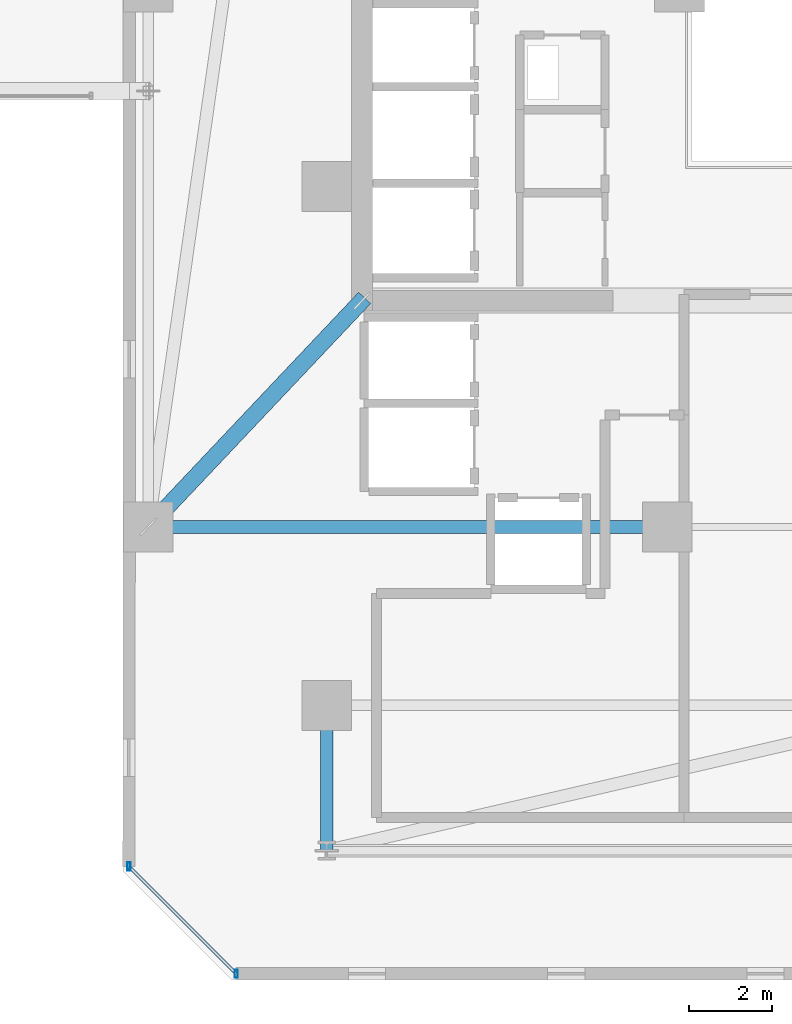
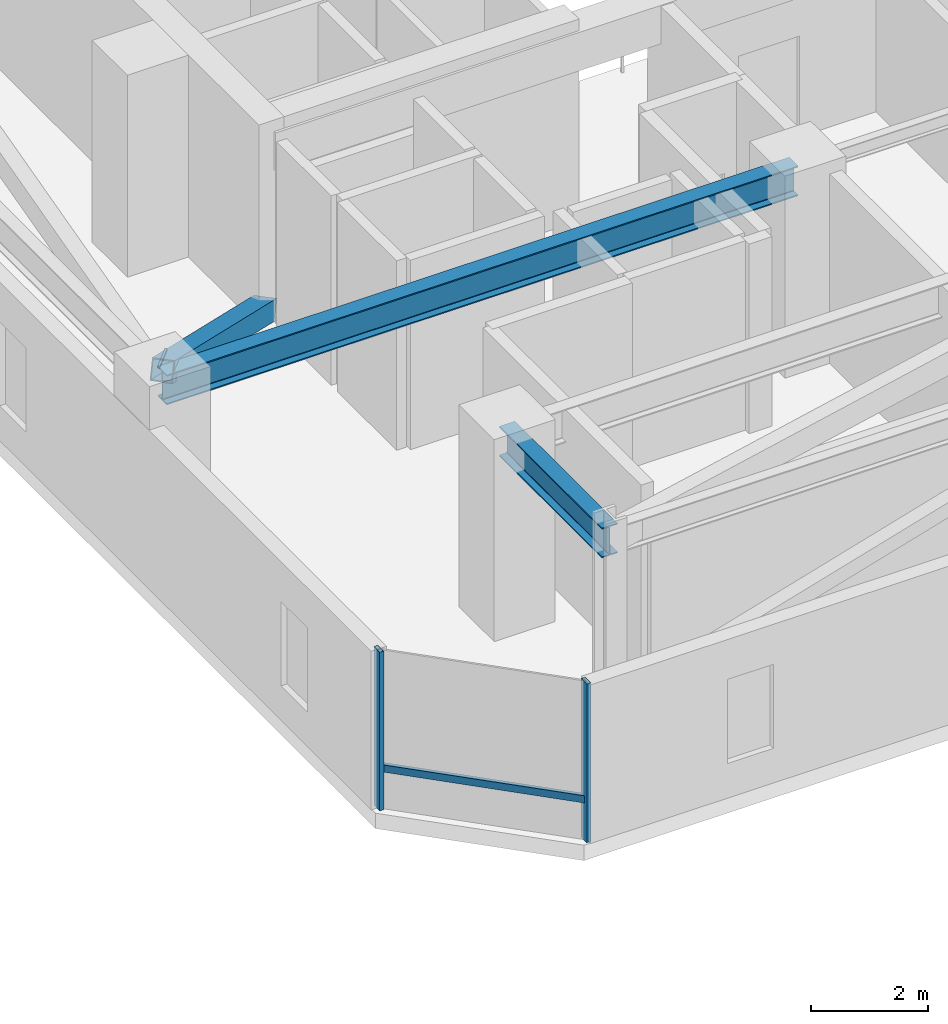
# One storey, part 17 of 45: 4 members, 2 beams, 1 element without a shape of its own.
"""IFC4 building model written with IfcOpenShell, lengths in metres."""

from ifc_helpers import new_model, si_unit, direction, frame, origin, origin_2d, place, context, subcontext, project, spatial, hollow_rectangle, i_section, extrude, material, material_profile, profile_set, type_object, element, aggregate, save


model = new_model("IFC4")

# Units and contexts
model_context = context("Model", 3, precision=1e-05, world=origin(), true_north=direction((0.0, 1.0)))
body_context = subcontext(model_context, "Body", "Model", "MODEL_VIEW")
ifc_project = project(units=[si_unit("LENGTHUNIT", "METRE"), si_unit("AREAUNIT", "SQUARE_METRE"), si_unit("VOLUMEUNIT", "CUBIC_METRE"), si_unit("PLANEANGLEUNIT", "RADIAN"), si_unit("MASSUNIT", "GRAM", prefix="KILO")], contexts=[model_context])

# Site, building, storey
site_placement = place(None, origin())
site = spatial("IfcSite", under=ifc_project, at=site_placement, CompositionType="ELEMENT")
building_placement = place(site_placement, origin())
building = spatial("IfcBuilding", under=site, at=building_placement, Name="Thornwick Lancets Civic Towers", CompositionType="ELEMENT")
storey_placement = place(building_placement, frame((0.0, 0.0, 141.300048828125)))
storey = spatial("IfcBuildingStorey", under=building, at=storey_placement, Name="L37", CompositionType="ELEMENT", Elevation=141.300048828125)

# Beams
ifc_material_1 = material(Name="Steel S355JR", Category="steel")
ifc_material_profile_1 = material_profile(ifc_material_1, i_section(OverallWidth=0.30712890625, OverallDepth=0.6201171875, WebThickness=0.01416015625, FlangeThickness=0.023681640625, FilletRadius=0.0166015625, at=origin_2d()), Name="UKB 610x305x179")
ifc_profile_set_1 = profile_set([ifc_material_profile_1], Name="Steel S355JR")
beam_type = type_object("IfcBeamType", Name="BM_GIRD_610_179", PredefinedType="BEAM", material=ifc_profile_set_1)
beam_1_placement = place(storey_placement, frame((83.6201171875, 14.0, 3.64990234375), z_axis=(-1.0, 0.0, 0.0), x_axis=(0.0, -1.0, 0.0)))
element("IfcBeam", 1, at=beam_1_placement, inside=storey, type_object=beam_type, Name="BM-RADIN-L37-B07", PredefinedType="BEAM", context=body_context, shape_type="SweptSolid", body=[
    extrude(i_section(OverallWidth=0.30712890625, OverallDepth=0.6201171875, WebThickness=0.01416015625, FlangeThickness=0.023681640625, FilletRadius=0.0166015625, at=origin_2d()), origin(), (0.0, 0.0, 1.0), 12.420166015625),
])
beam_2_placement = place(storey_placement, frame((75.5, 9.699951171875, 3.64990234375), z_axis=(0.0, -1.0, 0.0), x_axis=(1.0, 0.0, 0.0)))
element("IfcBeam", 2, at=beam_2_placement, inside=storey, type_object=beam_type, Name="BM-RAD-L37-B12", PredefinedType="BEAM", context=body_context, shape_type="SweptSolid", body=[
    extrude(i_section(OverallWidth=0.30712890625, OverallDepth=0.6201171875, WebThickness=0.01416015625, FlangeThickness=0.023681640625, FilletRadius=0.0166015625, at=origin_2d()), origin(), (0.0, 0.0, 1.0), 3.5),
])

# Curtain wall, members
ifc_material_2 = material(Name="Mid-zone chamfered-corner unitised glass curtain wall", Category="glass")
curtain_wall_type = type_object("IfcCurtainWallType", Name="CW_SYS_04", PredefinedType="NOTDEFINED", material=ifc_material_2)
curtain_wall_placement = place(storey_placement, origin())
curtain_wall = element("IfcCurtainWall", 3, at=curtain_wall_placement, inside=storey, type_object=curtain_wall_type, Name="L37 Curtain Wall CW-L37-B-E7", PredefinedType="NOTDEFINED")
ifc_material_3 = material(Name="Thermally broken bronze aluminium S355", Category="steel")
ifc_material_profile_2 = material_profile(ifc_material_3, hollow_rectangle(XDim=0.080078125, YDim=0.199951171875, WallThickness=0.006103515625, at=origin_2d()), Name="RHS 200x80x6")
ifc_profile_set_2 = profile_set([ifc_material_profile_2], Name="Thermally broken bronze aluminium S355")
member_type_1 = type_object("IfcMemberType", Name="CW_MUL_200", PredefinedType="MULLION", material=ifc_profile_set_2)
member_1_placement = place(storey_placement, frame((70.7353515625, 5.818603515625, 0.0), z_axis=(0.0, 0.0, 1.0), x_axis=(1.0, 0.0, 0.0)))
member_1 = element("IfcMember", 4, at=member_1_placement, type_object=member_type_1, Name="CW-L37-B-E7 Mullion 0", PredefinedType="MULLION", context=body_context, shape_type="SweptSolid", body=[
    extrude(hollow_rectangle(XDim=0.080078125, YDim=0.199951171875, WallThickness=0.006103515625, at=origin_2d()), origin(), (0.0, 0.0, 1.0), 3.300048828125),
])
member_2_placement = place(storey_placement, frame((73.318603515625, 3.2353515625, 0.0), z_axis=(0.0, 0.0, 1.0), x_axis=(1.0, 0.0, 0.0)))
member_2 = element("IfcMember", 5, at=member_2_placement, type_object=member_type_1, Name="CW-L37-B-E7 Mullion 1", PredefinedType="MULLION", context=body_context, shape_type="SweptSolid", body=[
    extrude(hollow_rectangle(XDim=0.080078125, YDim=0.199951171875, WallThickness=0.006103515625, at=origin_2d()), origin(), (0.0, 0.0, 1.0), 3.300048828125),
])
ifc_material_profile_3 = material_profile(ifc_material_3, hollow_rectangle(XDim=0.074951171875, YDim=0.14990234375, WallThickness=0.0048828125, at=origin_2d()), Name="RHS 150x75x5")
ifc_profile_set_3 = profile_set([ifc_material_profile_3], Name="Thermally broken bronze aluminium S355")
member_type_2 = type_object("IfcMemberType", Name="CW_TRN_150", PredefinedType="USERDEFINED", material=ifc_profile_set_3)
member_3_placement = place(storey_placement, frame((70.74951171875, 5.804443359375, 0.849853515625), z_axis=(0.707106781187, -0.707106781187, 0.0), x_axis=(0.707106781187, 0.707106781187, 0.0)))
member_3 = element("IfcMember", 6, at=member_3_placement, type_object=member_type_2, Name="CW-L37-B-E7 Transom 0", ObjectType="TRANSOM", PredefinedType="USERDEFINED", context=body_context, shape_type="SweptSolid", body=[
    extrude(hollow_rectangle(XDim=0.074951171875, YDim=0.14990234375, WallThickness=0.0048828125, at=origin_2d()), origin(), (0.0, 0.0, 1.0), 3.61328125),
])
aggregate(curtain_wall, [member_1, member_2, member_3])

# Member
ifc_material_4 = material(Name="Steel S460M", Category="steel")
ifc_material_profile_4 = material_profile(ifc_material_4, hollow_rectangle(XDim=0.39990234375, YDim=0.39990234375, WallThickness=0.02001953125, at=origin_2d()), Name="SHS 400x400x20")
ifc_profile_set_4 = profile_set([ifc_material_profile_4], Name="Steel S460M")
member_type_3 = type_object("IfcMemberType", Name="MEM_OUTRIG_SHS400", PredefinedType="BRACE", material=ifc_profile_set_4)
member_4_placement = place(storey_placement, frame((76.35009765625, 19.449951171875, 0.14990234375), z_axis=(-0.612321218604, -0.6479661798, 0.452992886349), x_axis=(0.726815378038, -0.686832880872, 0.0)))
element("IfcMember", 7, at=member_4_placement, inside=storey, type_object=member_type_3, Name="L37 Outrigger Brace B-3", PredefinedType="BRACE", context=body_context, shape_type="SweptSolid", body=[
    extrude(hollow_rectangle(XDim=0.39990234375, YDim=0.39990234375, WallThickness=0.02001953125, at=origin_2d()), origin(), (0.0, 0.0, 1.0), 8.410888671875),
])

save(model, "model.ifc")
